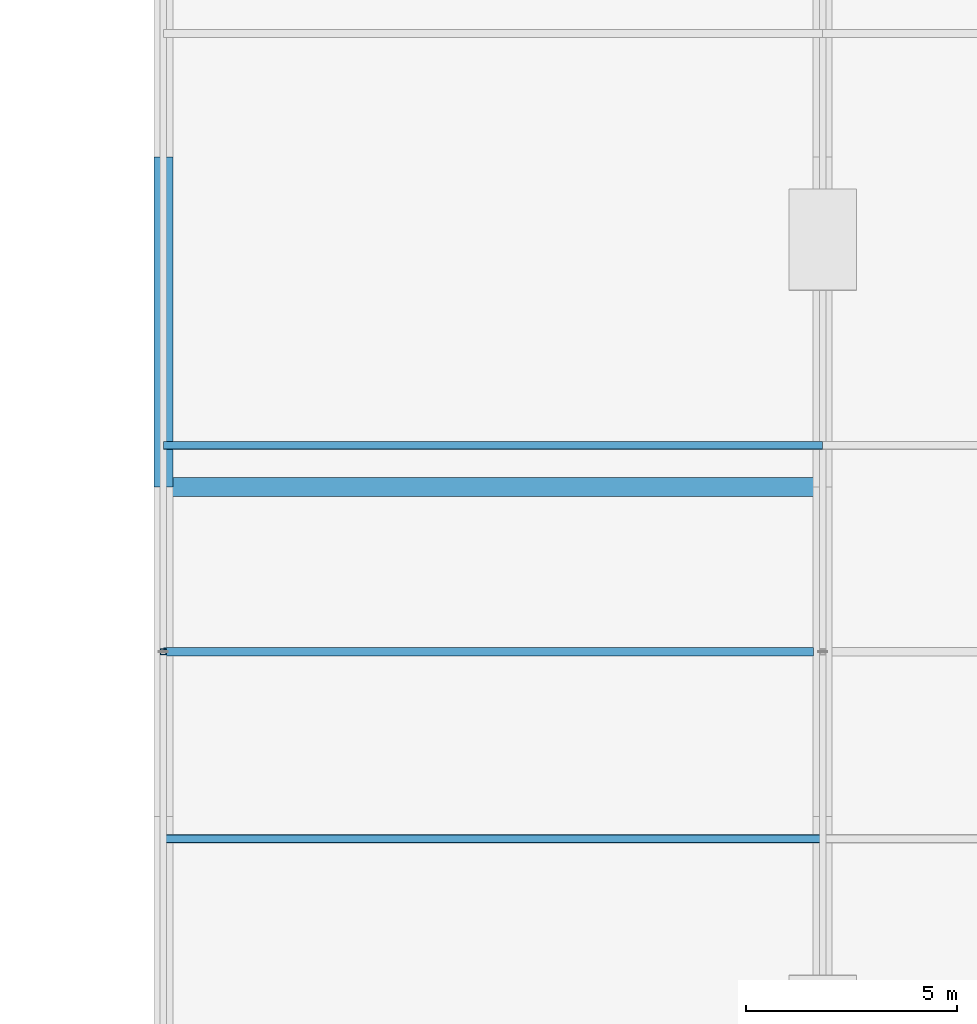
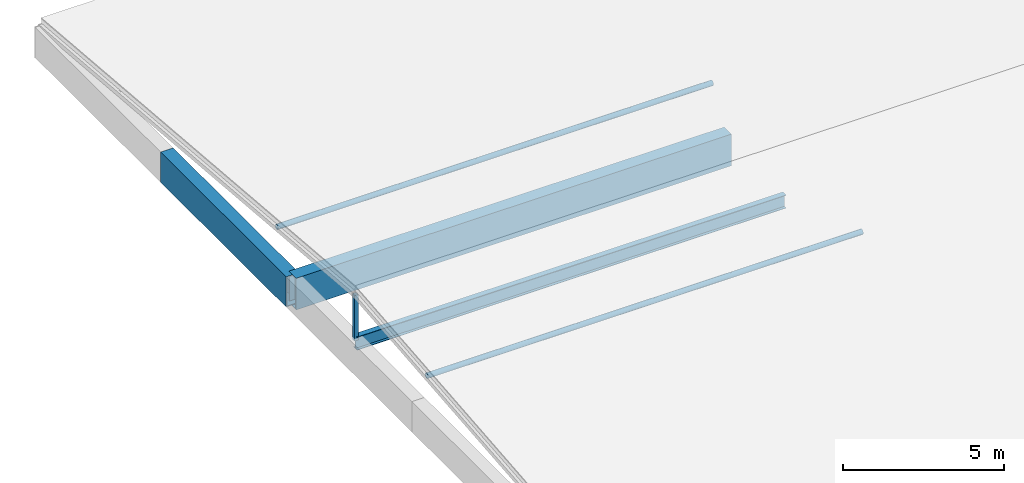
# One storey, part 4 of 45: 3 beams, 3 members.
"""IFC4 building model written with IfcOpenShell, lengths in metres."""

from ifc_helpers import new_model, si_unit, direction, frame, origin, origin_2d, place, context, subcontext, project, spatial, hollow_rectangle, hollow_circle, i_section, extrude, material, material_profile, profile_set, type_object, element, save


model = new_model("IFC4")

# Units and contexts
model_context = context("Model", 3, precision=1e-05, world=origin(), true_north=direction((0.0, 1.0)))
body_context = subcontext(model_context, "Body", "Model", "MODEL_VIEW")
ifc_project = project(units=[si_unit("LENGTHUNIT", "METRE"), si_unit("AREAUNIT", "SQUARE_METRE"), si_unit("VOLUMEUNIT", "CUBIC_METRE"), si_unit("PLANEANGLEUNIT", "RADIAN"), si_unit("MASSUNIT", "GRAM", prefix="KILO")], contexts=[model_context])

# Site, building, storey
site_placement = place(None, origin())
site = spatial("IfcSite", under=ifc_project, at=site_placement, CompositionType="ELEMENT")
building_placement = place(site_placement, origin())
building = spatial("IfcBuilding", under=site, at=building_placement, Name="Celorna Specialist Clinic", CompositionType="ELEMENT")
storey_placement = place(building_placement, frame((0.0, 0.0, 18.60009765625)))
storey = spatial("IfcBuildingStorey", under=building, at=storey_placement, Name="L04", CompositionType="ELEMENT", Elevation=18.60009765625)

# Beams
ifc_material = material(Name="Steel S355", Category="steel")
ifc_material_profile_1 = material_profile(ifc_material, hollow_rectangle(XDim=0.449951171875, YDim=1.14990234375, WallThickness=0.031982421875, at=origin_2d()), Name="BOX 450x1150x32")
ifc_profile_set_1 = profile_set([ifc_material_profile_1], Name="Steel S355")
beam_type_1 = type_object("IfcBeamType", Name="BM-01", PredefinedType="BEAM", material=ifc_profile_set_1)
beam_1_placement = place(storey_placement, frame((54.60009765625, 27.300048828125, -0.735107421875), z_axis=(0.0, 1.0, 0.0), x_axis=(-1.0, 0.0, 0.0)))
element("IfcBeam", 1, at=beam_1_placement, inside=storey, type_object=beam_type_1, Name="Cantilever Pratt truss chord WP-013-WP-014", PredefinedType="BEAM", context=body_context, shape_type="SweptSolid", body=[
    extrude(hollow_rectangle(XDim=0.449951171875, YDim=1.14990234375, WallThickness=0.031982421875, at=origin_2d()), origin(), (0.0, 0.0, 1.0), 7.800048828125),
])
ifc_material_profile_2 = material_profile(ifc_material, hollow_rectangle(XDim=0.449951171875, YDim=1.199951171875, WallThickness=0.031982421875, at=origin_2d()), Name="BOX 450x1200x32")
ifc_profile_set_2 = profile_set([ifc_material_profile_2], Name="Steel S355")
beam_type_2 = type_object("IfcBeamType", Name="BM-02", PredefinedType="BEAM", material=ifc_profile_set_2)
beam_2_placement = place(storey_placement, frame((54.60009765625, 27.300048828125, -0.760009765625), z_axis=(1.0, 0.0, 0.0), x_axis=(0.0, 1.0, 0.0)))
element("IfcBeam", 2, at=beam_2_placement, inside=storey, type_object=beam_type_2, Name="Lecture theatre roof transfer girder BM-02 #27", PredefinedType="BEAM", context=body_context, shape_type="SweptSolid", body=[
    extrude(hollow_rectangle(XDim=0.449951171875, YDim=1.199951171875, WallThickness=0.031982421875, at=origin_2d()), origin(), (0.0, 0.0, 1.0), 15.599853515625),
])
ifc_material_profile_3 = material_profile(ifc_material, i_section(OverallWidth=0.199951171875, OverallDepth=0.5, WebThickness=0.01025390625, FlangeThickness=0.01611328125, at=origin_2d()), Name="IPE 500")
ifc_profile_set_3 = profile_set([ifc_material_profile_3], Name="Steel S355")
beam_type_3 = type_object("IfcBeamType", Name="BM-08", PredefinedType="BEAM", material=ifc_profile_set_3)
beam_3_placement = place(storey_placement, frame((54.60009765625, 23.39990234375, -0.35009765625), z_axis=(1.0, 0.0, 0.0), x_axis=(0.0, 1.0, 0.0)))
element("IfcBeam", 3, at=beam_3_placement, inside=storey, type_object=beam_type_3, Name="V6 roof ridge support girder", PredefinedType="BEAM", context=body_context, shape_type="SweptSolid", body=[
    extrude(i_section(OverallWidth=0.199951171875, OverallDepth=0.5, WebThickness=0.01025390625, FlangeThickness=0.01611328125, at=origin_2d()), origin(), (0.0, 0.0, 1.0), 15.385009765625),
])

# Members
ifc_material_profile_4 = material_profile(ifc_material, hollow_circle(Radius=0.096923828125, WallThickness=0.010009765625, at=origin_2d()), Name="CHS 193.7x10")
ifc_profile_set_4 = profile_set([ifc_material_profile_4], Name="Steel S355")
member_type_1 = type_object("IfcMemberType", Name="MB-04", PredefinedType="PURLIN", material=ifc_profile_set_4)
for number, where, z_axis, x_axis, name in (
    (4, (54.60009765625, 18.97509765625, 1.060302734375), (1.0, 0.0, 0.0), (0.0, 1.0, 0.0), "Roof purlin WP-314-WP-315"),
    (5, (54.60009765625, 28.27490234375, 1.060302734375), (1.0, 0.0, 0.0), (0.0, 1.0, 0.0), "Roof purlin WP-320-WP-321"),
):
    element("IfcMember", number, at=place(storey_placement, frame(where, z_axis=z_axis, x_axis=x_axis)), inside=storey, type_object=member_type_1, Name=name, PredefinedType="PURLIN", context=body_context, shape_type="SweptSolid", body=[
        extrude(hollow_circle(Radius=0.096923828125, WallThickness=0.010009765625, at=origin_2d()), origin(), (0.0, 0.0, 1.0), 15.599853515625),
    ])
ifc_material_profile_5 = material_profile(ifc_material, hollow_rectangle(XDim=0.139892578125, YDim=0.139892578125, WallThickness=0.008056640625, at=origin_2d()), Name="SHS 140x140x8")
ifc_profile_set_5 = profile_set([ifc_material_profile_5], Name="Steel S355")
member_type_2 = type_object("IfcMemberType", Name="MB-10", PredefinedType="CHORD", material=ifc_profile_set_5)
member_placement = place(storey_placement, frame((54.60009765625, 23.39990234375, -0.25), z_axis=(0.0, 0.0, 1.0), x_axis=(1.0, 0.0, 0.0)))
element("IfcMember", 6, at=member_placement, inside=storey, type_object=member_type_2, Name="Roof ridge/eave support post ROOF-V6-SOUTH", PredefinedType="CHORD", context=body_context, shape_type="SweptSolid", body=[
    extrude(hollow_rectangle(XDim=0.139892578125, YDim=0.139892578125, WallThickness=0.008056640625, at=origin_2d()), origin(), (0.0, 0.0, 1.0), 1.718017578125),
])

save(model, "model.ifc")
